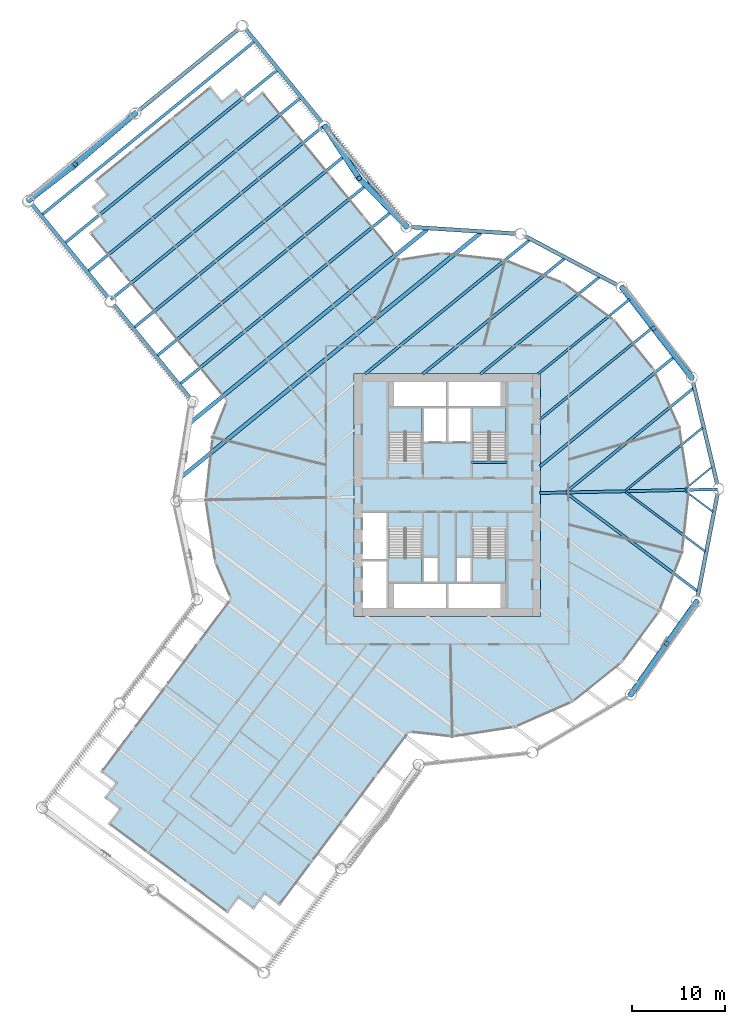
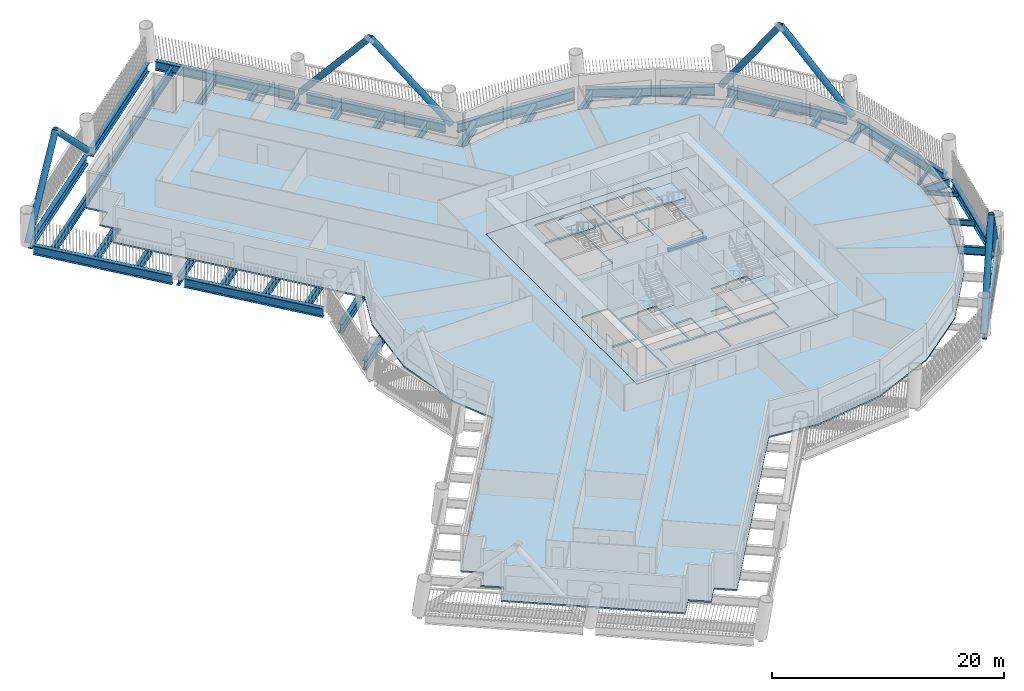
# One storey, part 2 of 22: 35 beams, 8 members, 6 slabs, 4 elements without a shape of their own.
"""IFC4 building model written with IfcOpenShell, lengths in metres."""

from ifc_helpers import new_model, si_unit, direction, frame, origin, origin_2d, place, context, subcontext, project, spatial, polyline, rectangle, hollow_circle, i_section, outline, extrude, material, layer, layer_set, material_profile, profile_set, type_object, element, aggregate, save


model = new_model("IFC4")

# Units and contexts
model_context = context("Model", 3, precision=1e-05, world=origin(), true_north=direction((0.0, 1.0)))
body_context = subcontext(model_context, "Body", "Model", "MODEL_VIEW")
ifc_project = project(units=[si_unit("LENGTHUNIT", "METRE"), si_unit("AREAUNIT", "SQUARE_METRE"), si_unit("VOLUMEUNIT", "CUBIC_METRE"), si_unit("PLANEANGLEUNIT", "RADIAN"), si_unit("MASSUNIT", "GRAM", prefix="KILO")], contexts=[model_context])

# Site, building, storey
site_placement = place(None, origin())
site = spatial("IfcSite", under=ifc_project, at=site_placement, CompositionType="ELEMENT")
building_placement = place(site_placement, origin())
building = spatial("IfcBuilding", under=site, at=building_placement, Name="Tarsis Ring Headquarters", CompositionType="ELEMENT")
storey_placement = place(building_placement, frame((0.0, 0.0, 40.0)))
storey = spatial("IfcBuildingStorey", under=building, at=storey_placement, Name="L07", CompositionType="ELEMENT", Elevation=40.0)

# Beams
ifc_material_1 = material(Name="Structural steel S355", Category="steel")
ifc_material_profile_1 = material_profile(ifc_material_1, i_section(OverallWidth=0.177734375, OverallDepth=0.406494140625, WebThickness=0.0078125, FlangeThickness=0.0126953125, at=origin_2d()), Name="W16x40")
ifc_profile_set_1 = profile_set([ifc_material_profile_1], Name="Structural steel S355")
beam_type_1 = type_object("IfcBeamType", Name="FB Floor beam W16x40", PredefinedType="JOIST", material=ifc_profile_set_1)
for number, where, z_axis, x_axis, name in (
    (1, (25.45458984375, 0.439697265625, -0.36328125), (0.80075105506, -0.59899728532, 0.0), (0.59899728532, 0.80075105506, 0.0), "Floor beam FB1"),
    (2, (28.35009765625, 2.991455078125, -0.36328125), (-0.774907071967, -0.632075177345, 0.0), (0.632075177345, -0.774907071967, 0.0), "Floor beam FB1"),
):
    element("IfcBeam", number, at=place(storey_placement, frame(where, z_axis=z_axis, x_axis=x_axis)), inside=storey, type_object=beam_type_1, Name=name, PredefinedType="JOIST", context=body_context, shape_type="SweptSolid", body=[
        extrude(i_section(OverallWidth=0.177734375, OverallDepth=0.406494140625, WebThickness=0.0078125, FlangeThickness=0.0126953125, at=origin_2d()), origin(), (0.0, 0.0, 1.0), 3.74169921875),
    ])
ifc_material_profile_2 = material_profile(ifc_material_1, i_section(OverallWidth=0.228271484375, OverallDepth=0.607177734375, WebThickness=0.01123046875, FlangeThickness=0.017333984375, at=origin_2d()), Name="W24x76")
ifc_profile_set_2 = profile_set([ifc_material_profile_2], Name="Structural steel S355")
beam_type_2 = type_object("IfcBeamType", Name="FB Floor beam W24x76", PredefinedType="JOIST", material=ifc_profile_set_2)
for number, where, z_axis, x_axis, name in (
    (3, (19.121337890625, 0.30712890625, -0.463623046875), (0.800730373044, -0.59902493244, 0.0), (0.59902493244, 0.800730373044, 0.0), "Floor beam FB4"),
    (4, (27.34814453125, 7.206787109375, -0.463623046875), (-0.774940569294, -0.632034108306, 0.0), (0.632034108306, -0.774940569294, 0.0), "Floor beam FB4"),
):
    element("IfcBeam", number, at=place(storey_placement, frame(where, z_axis=z_axis, x_axis=x_axis)), inside=storey, type_object=beam_type_2, Name=name, PredefinedType="JOIST", context=body_context, shape_type="SweptSolid", body=[
        extrude(i_section(OverallWidth=0.228271484375, OverallDepth=0.607177734375, WebThickness=0.01123046875, FlangeThickness=0.017333984375, at=origin_2d()), origin(), (0.0, 0.0, 1.0), 10.62109375),
    ])
ifc_material_profile_3 = material_profile(ifc_material_1, i_section(OverallWidth=0.2529296875, OverallDepth=0.67822265625, WebThickness=0.01171875, FlangeThickness=0.016357421875, at=origin_2d()), Name="W27x84")
ifc_profile_set_3 = profile_set([ifc_material_profile_3], Name="Structural steel S355")
beam_type_3 = type_object("IfcBeamType", Name="FB Floor beam W27x84", PredefinedType="JOIST", material=ifc_profile_set_3)
beam_1_placement = place(storey_placement, frame((19.5390625, 20.96826171875, -0.4990234375), z_axis=(-0.774946736408, -0.632026546698, 0.0), x_axis=(0.632026546698, -0.774946736408, 0.0)))
element("IfcBeam", 5, at=beam_1_placement, inside=storey, type_object=beam_type_3, Name="Floor beam FB5", PredefinedType="JOIST", context=body_context, shape_type="SweptSolid", body=[
    extrude(i_section(OverallWidth=0.2529296875, OverallDepth=0.67822265625, WebThickness=0.01171875, FlangeThickness=0.016357421875, at=origin_2d()), origin(), (0.0, 0.0, 1.0), 12.70751953125),
])
ifc_material_profile_4 = material_profile(ifc_material_1, i_section(OverallWidth=0.2666015625, OverallDepth=0.7568359375, WebThickness=0.013916015625, FlangeThickness=0.019287109375, at=origin_2d()), Name="W30x108")
ifc_profile_set_4 = profile_set([ifc_material_profile_4], Name="Structural steel S355")
beam_type_4 = type_object("IfcBeamType", Name="FB Floor beam W30x108", PredefinedType="JOIST", material=ifc_profile_set_4)
beam_2_placement = place(storey_placement, frame((21.925537109375, 17.882080078125, -0.538330078125), z_axis=(-0.774938157942, -0.632037064867, 0.0), x_axis=(0.632037064867, -0.774938157942, 0.0)))
element("IfcBeam", 6, at=beam_2_placement, inside=storey, type_object=beam_type_4, Name="Floor beam FB6", PredefinedType="JOIST", context=body_context, shape_type="SweptSolid", body=[
    extrude(i_section(OverallWidth=0.2666015625, OverallDepth=0.7568359375, WebThickness=0.013916015625, FlangeThickness=0.019287109375, at=origin_2d()), origin(), (0.0, 0.0, 1.0), 15.48876953125),
])
ifc_material_profile_5 = material_profile(ifc_material_1, i_section(OverallWidth=0.2919921875, OverallDepth=0.835693359375, WebThickness=0.013916015625, FlangeThickness=0.018798828125, at=origin_2d()), Name="W33x118")
ifc_profile_set_5 = profile_set([ifc_material_profile_5], Name="Structural steel S355")
beam_type_5 = type_object("IfcBeamType", Name="FB Floor beam W33x118", PredefinedType="JOIST", material=ifc_profile_set_5)
beam_3_placement = place(storey_placement, frame((12.7880859375, 0.174560546875, -0.577880859375), z_axis=(0.800725951133, -0.599030843264, 0.0), x_axis=(0.599030843264, 0.800725951133, 0.0)))
element("IfcBeam", 7, at=beam_3_placement, inside=storey, type_object=beam_type_5, Name="Floor beam FB7", PredefinedType="JOIST", context=body_context, shape_type="SweptSolid", body=[
    extrude(i_section(OverallWidth=0.2919921875, OverallDepth=0.835693359375, WebThickness=0.013916015625, FlangeThickness=0.018798828125, at=origin_2d()), origin(), (0.0, 0.0, 1.0), 17.50048828125),
])
beam_4_placement = place(storey_placement, frame((26.34619140625, 11.422119140625, -0.577880859375), z_axis=(-0.77494089803, -0.632033705241, 0.0), x_axis=(0.632033705241, -0.77494089803, 0.0)))
element("IfcBeam", 8, at=beam_4_placement, inside=storey, type_object=beam_type_5, Name="Floor beam FB7", PredefinedType="JOIST", context=body_context, shape_type="SweptSolid", body=[
    extrude(i_section(OverallWidth=0.2919921875, OverallDepth=0.835693359375, WebThickness=0.013916015625, FlangeThickness=0.018798828125, at=origin_2d()), origin(), (0.0, 0.0, 1.0), 17.500732421875),
])
beam_5_placement = place(storey_placement, frame((16.30126953125, 23.3603515625, -0.577880859375), z_axis=(-0.774937143878, -0.632038308204, 0.0), x_axis=(0.632038308204, -0.774937143878, 0.0)))
element("IfcBeam", 9, at=beam_5_placement, inside=storey, type_object=beam_type_5, Name="Floor beam FB7", PredefinedType="JOIST", context=body_context, shape_type="SweptSolid", body=[
    extrude(i_section(OverallWidth=0.2919921875, OverallDepth=0.835693359375, WebThickness=0.013916015625, FlangeThickness=0.018798828125, at=origin_2d()), origin(), (0.0, 0.0, 1.0), 16.491943359375),
])
ifc_material_profile_6 = material_profile(ifc_material_1, i_section(OverallWidth=0.3046875, OverallDepth=0.904296875, WebThickness=0.01513671875, FlangeThickness=0.02001953125, at=origin_2d()), Name="W36x135")
ifc_profile_set_6 = profile_set([ifc_material_profile_6], Name="Structural steel S355")
beam_type_6 = type_object("IfcBeamType", Name="FB Floor beam W36x135", PredefinedType="JOIST", material=ifc_profile_set_6)
beam_6_placement = place(storey_placement, frame((24.31201171875, 14.795654296875, -0.612060546875), z_axis=(-0.774947550491, -0.632025548525, 0.0), x_axis=(0.632025548525, -0.774947550491, 0.0)))
element("IfcBeam", 10, at=beam_6_placement, inside=storey, type_object=beam_type_6, Name="Floor beam FB8", PredefinedType="JOIST", context=body_context, shape_type="SweptSolid", body=[
    extrude(i_section(OverallWidth=0.3046875, OverallDepth=0.904296875, WebThickness=0.01513671875, FlangeThickness=0.02001953125, at=origin_2d()), origin(), (0.0, 0.0, 1.0), 18.568115234375),
])
beam_7_placement = place(storey_placement, frame((12.5625, 25.343505859375, -0.612060546875), z_axis=(-0.774944369166, -0.632029449233, 0.0), x_axis=(0.632029449233, -0.774944369166, 0.0)))
element("IfcBeam", 11, at=beam_7_placement, inside=storey, type_object=beam_type_6, Name="Floor beam FB8", PredefinedType="JOIST", context=body_context, shape_type="SweptSolid", body=[
    extrude(i_section(OverallWidth=0.3046875, OverallDepth=0.904296875, WebThickness=0.01513671875, FlangeThickness=0.02001953125, at=origin_2d()), origin(), (0.0, 0.0, 1.0), 19.6298828125),
])
ifc_material_profile_7 = material_profile(ifc_material_1, i_section(OverallWidth=0.3046875, OverallDepth=0.91943359375, WebThickness=0.017333984375, FlangeThickness=0.02783203125, at=origin_2d()), Name="W36x170")
ifc_profile_set_7 = profile_set([ifc_material_profile_7], Name="Structural steel S355")
beam_type_7 = type_object("IfcBeamType", Name="FB Floor beam W36x170", PredefinedType="JOIST", material=ifc_profile_set_7)
beam_8_placement = place(storey_placement, frame((8.82373046875, 27.326904296875, -0.61962890625), z_axis=(-0.774944350791, -0.632029471763, 0.0), x_axis=(0.632029471763, -0.774944350791, 0.0)))
element("IfcBeam", 12, at=beam_8_placement, inside=storey, type_object=beam_type_7, Name="Floor beam FB9", PredefinedType="JOIST", context=body_context, shape_type="SweptSolid", body=[
    extrude(i_section(OverallWidth=0.3046875, OverallDepth=0.91943359375, WebThickness=0.017333984375, FlangeThickness=0.02783203125, at=origin_2d()), origin(), (0.0, 0.0, 1.0), 22.76806640625),
])
ifc_material_profile_8 = material_profile(ifc_material_1, i_section(OverallWidth=0.309814453125, OverallDepth=0.949951171875, WebThickness=0.0244140625, FlangeThickness=0.0439453125, at=origin_2d()), Name="W36x256")
ifc_profile_set_8 = profile_set([ifc_material_profile_8], Name="Structural steel S355")
beam_type_8 = type_object("IfcBeamType", Name="FB Floor beam W36x256", PredefinedType="JOIST", material=ifc_profile_set_8)
for number, where, z_axis, x_axis, name in (
    (13, (-5.8720703125, 30.439208984375, -0.635009765625), (-0.774944288158, -0.632029548559, 0.0), (0.632029548559, -0.774944288158, 0.0), "Floor beam FB11"),
    (14, (-8.3369140625, 33.46142578125, -0.635009765625), (-0.774944288158, -0.632029548559, 0.0), (0.632029548559, -0.774944288158, 0.0), "Floor beam FB11"),
    (15, (-10.802001953125, 36.483642578125, -0.635009765625), (-0.774948358754, -0.632024557485, 0.0), (0.632024557485, -0.774948358754, 0.0), "Floor beam FB11"),
    (16, (-13.266845703125, 39.506103515625, -0.635009765625), (-0.774944288158, -0.632029548559, 0.0), (0.632029548559, -0.774944288158, 0.0), "Floor beam FB11"),
    (17, (-15.731689453125, 42.5283203125, -0.635009765625), (-0.774944288158, -0.632029548559, 0.0), (0.632029548559, -0.774944288158, 0.0), "Floor beam FB11"),
    (18, (-18.19677734375, 45.550537109375, -0.635009765625), (-0.774940968231, -0.632033619167, 0.0), (0.632033619167, -0.774940968231, 0.0), "Floor beam FB11"),
    (19, (-20.66162109375, 48.57275390625, -0.635009765625), (-0.774948358754, -0.632024557485, 0.0), (0.632024557485, -0.774948358754, 0.0), "Floor beam FB11"),
):
    element("IfcBeam", number, at=place(storey_placement, frame(where, z_axis=z_axis, x_axis=x_axis)), inside=storey, type_object=beam_type_8, Name=name, PredefinedType="JOIST", context=body_context, shape_type="SweptSolid", body=[
        extrude(i_section(OverallWidth=0.309814453125, OverallDepth=0.949951171875, WebThickness=0.0244140625, FlangeThickness=0.0439453125, at=origin_2d()), origin(), (0.0, 0.0, 1.0), 29.375732421875),
    ])
beam_type_9 = type_object("IfcBeamType", Name="FB Floor beam W36x256 spine", PredefinedType="BEAM", material=ifc_profile_set_8)
beam_9_placement = place(storey_placement, frame((28.92529296875, 0.60595703125, -0.635009765625), z_axis=(-0.999780511227, -0.020950641295, 0.0), x_axis=(0.020950641295, -0.999780511227, 0.0)))
element("IfcBeam", 20, at=beam_9_placement, inside=storey, type_object=beam_type_9, Name="Floor beam SB11", PredefinedType="BEAM", context=body_context, shape_type="SweptSolid", body=[
    extrude(i_section(OverallWidth=0.309814453125, OverallDepth=0.949951171875, WebThickness=0.0244140625, FlangeThickness=0.0439453125, at=origin_2d()), origin(), (0.0, 0.0, 1.0), 19.029541015625),
])
ifc_material_profile_9 = material_profile(ifc_material_1, i_section(OverallWidth=0.42431640625, OverallDepth=0.947509765625, WebThickness=0.02392578125, FlangeThickness=0.042724609375, at=origin_2d()), Name="W36x302")
ifc_profile_set_9 = profile_set([ifc_material_profile_9], Name="Structural steel S355")
beam_type_10 = type_object("IfcBeamType", Name="FB Floor beam W36x302", PredefinedType="JOIST", material=ifc_profile_set_9)
beam_10_placement = place(storey_placement, frame((3.5791015625, 28.08203125, -0.6337890625), z_axis=(-0.774946440336, -0.63202690972, 0.0), x_axis=(0.63202690972, -0.774946440336, 0.0)))
element("IfcBeam", 21, at=beam_10_placement, inside=storey, type_object=beam_type_10, Name="Floor beam FB12", PredefinedType="JOIST", context=body_context, shape_type="SweptSolid", body=[
    extrude(i_section(OverallWidth=0.42431640625, OverallDepth=0.947509765625, WebThickness=0.02392578125, FlangeThickness=0.042724609375, at=origin_2d()), origin(), (0.0, 0.0, 1.0), 41.35302734375),
])
beam_11_placement = place(storey_placement, frame((-2.149658203125, 28.442626953125, -0.6337890625), z_axis=(-0.774942185459, -0.632032126713, 0.0), x_axis=(0.632032126713, -0.774942185459, 0.0)))
element("IfcBeam", 22, at=beam_11_placement, inside=storey, type_object=beam_type_10, Name="Floor beam FB12", PredefinedType="JOIST", context=body_context, shape_type="SweptSolid", body=[
    extrude(i_section(OverallWidth=0.42431640625, OverallDepth=0.947509765625, WebThickness=0.02392578125, FlangeThickness=0.042724609375, at=origin_2d()), origin(), (0.0, 0.0, 1.0), 32.70458984375),
])
ifc_material_2 = material(Name="Concrete C40/50", Category="concrete")
ifc_material_profile_10 = material_profile(ifc_material_2, rectangle(XDim=0.300048828125, YDim=0.300048828125, at=origin_2d()), Name="Stair head beam 300x300 C40/50")
ifc_profile_set_10 = profile_set([ifc_material_profile_10], Name="Concrete C40/50")
beam_type_11 = type_object("IfcBeamType", Name="Stair head beam 300x300 C40/50", PredefinedType="BEAM", material=ifc_profile_set_10)
beam_12_placement = place(storey_placement, frame((2.60009765625, 3.510009765625, -0.31005859375), z_axis=(1.0, 0.0, 0.0), x_axis=(0.0, 1.0, 0.0)))
element("IfcBeam", 23, at=beam_12_placement, inside=storey, type_object=beam_type_11, Name="Stair head beam L07 Exit stair B", PredefinedType="BEAM", context=body_context, shape_type="SweptSolid", body=[
    extrude(rectangle(XDim=0.300048828125, YDim=0.300048828125, at=origin_2d()), origin(), (0.0, 0.0, 1.0), 3.7998046875),
])

# Members
ifc_material_profile_11 = material_profile(ifc_material_1, hollow_circle(Radius=0.3046875, WallThickness=0.02490234375, at=origin_2d()), Name="CHS 610x25")
ifc_profile_set_11 = profile_set([ifc_material_profile_11], Name="Structural steel S355")
member_type = type_object("IfcMemberType", Name="XD X brace CHS 610x25", PredefinedType="BRACE", material=ifc_profile_set_11)
member_1_placement = place(storey_placement, frame((19.630615234375, -21.41162109375, 0.0), z_axis=(0.376776724102, 0.532913302116, 0.757656064849), x_axis=(-0.816532611141, 0.577299311401, 0.0)))
element("IfcMember", 24, at=member_1_placement, inside=storey, type_object=member_type, Name="X brace XD1", PredefinedType="BRACE", context=body_context, shape_type="SweptSolid", body=[
    extrude(hollow_circle(Radius=0.3046875, WallThickness=0.02490234375, at=origin_2d()), origin(), (0.0, 0.0, 1.0), 10.294921875),
])
member_2_placement = place(storey_placement, frame((26.7109375, -11.41650390625, 0.0), z_axis=(-0.334829618546, -0.471565118227, 0.815791312662), x_axis=(0.815367978935, -0.578943053269, 0.0)))
element("IfcMember", 25, at=member_2_placement, inside=storey, type_object=member_type, Name="X brace XD1", PredefinedType="BRACE", context=body_context, shape_type="SweptSolid", body=[
    extrude(hollow_circle(Radius=0.3046875, WallThickness=0.02490234375, at=origin_2d()), origin(), (0.0, 0.0, 1.0), 9.561279296875),
])
member_3_placement = place(storey_placement, frame((26.20947265625, 12.525146484375, 0.0), z_axis=(-0.399709226917, 0.515934377978, 0.757657080438), x_axis=(-0.790518840813, -0.612437721176, 0.0)))
element("IfcMember", 26, at=member_3_placement, inside=storey, type_object=member_type, Name="X brace XD1", PredefinedType="BRACE", context=body_context, shape_type="SweptSolid", body=[
    extrude(hollow_circle(Radius=0.3046875, WallThickness=0.02490234375, at=origin_2d()), origin(), (0.0, 0.0, 1.0), 10.294921875),
])
member_4_placement = place(storey_placement, frame((18.716552734375, 22.21484375, 0.0), z_axis=(0.353289721344, -0.457902903503, 0.815788761725), x_axis=(0.791740159894, 0.610858018864, 0.0)))
element("IfcMember", 27, at=member_4_placement, inside=storey, type_object=member_type, Name="X brace XD1", PredefinedType="BRACE", context=body_context, shape_type="SweptSolid", body=[
    extrude(hollow_circle(Radius=0.3046875, WallThickness=0.02490234375, at=origin_2d()), origin(), (0.0, 0.0, 1.0), 9.561279296875),
])
member_5_placement = place(storey_placement, frame((-4.32861328125, 28.72412109375, 0.0), z_axis=(-0.478393989271, 0.486880370165, 0.730812353602), x_axis=(-0.713295869917, -0.7008630408, 0.0)))
element("IfcMember", 28, at=member_5_placement, inside=storey, type_object=member_type, Name="X brace XD1", PredefinedType="BRACE", context=body_context, shape_type="SweptSolid", body=[
    extrude(hollow_circle(Radius=0.3046875, WallThickness=0.02490234375, at=origin_2d()), origin(), (0.0, 0.0, 1.0), 10.673095703125),
])
member_6_placement = place(storey_placement, frame((-13.115234375, 39.49755859375, 0.0), z_axis=(0.35836098154, -0.542984870079, 0.759437184878), x_axis=(0.834615789545, 0.550832537022, 0.0)))
element("IfcMember", 29, at=member_6_placement, inside=storey, type_object=member_type, Name="X brace XD1", PredefinedType="BRACE", context=body_context, shape_type="SweptSolid", body=[
    extrude(hollow_circle(Radius=0.3046875, WallThickness=0.02490234375, at=origin_2d()), origin(), (0.0, 0.0, 1.0), 10.270751953125),
])
member_7_placement = place(storey_placement, frame((-33.37109375, 40.9169921875, 0.0), z_axis=(-0.561928127495, -0.476908018908, 0.675866496455), x_axis=(0.647072515902, -0.76242846167, 0.0)))
element("IfcMember", 30, at=member_7_placement, inside=storey, type_object=member_type, Name="X brace XD1", PredefinedType="BRACE", context=body_context, shape_type="SweptSolid", body=[
    extrude(hollow_circle(Radius=0.3046875, WallThickness=0.02490234375, at=origin_2d()), origin(), (0.0, 0.0, 1.0), 11.540771484375),
])
member_8_placement = place(storey_placement, frame((-44.84033203125, 31.56298828125, 0.0), z_axis=(0.49715791953, 0.384040185696, 0.778040576589), x_axis=(-0.611320617538, 0.791383031517, 0.0)))
element("IfcMember", 31, at=member_8_placement, inside=storey, type_object=member_type, Name="X brace XD1", PredefinedType="BRACE", context=body_context, shape_type="SweptSolid", body=[
    extrude(hollow_circle(Radius=0.3046875, WallThickness=0.02490234375, at=origin_2d()), origin(), (0.0, 0.0, 1.0), 10.025146484375),
])

# Beams
beam_type_12 = type_object("IfcBeamType", Name="XG Ring girder W36x302", PredefinedType="BEAM", material=ifc_profile_set_9)
beam_13_placement = place(storey_placement, frame((19.94775390625, -20.9638671875, -0.4736328125), z_axis=(0.578046497615, 0.816003827562, 0.0), x_axis=(-0.816003827562, 0.578046497615, 0.0)))
element("IfcBeam", 32, at=beam_13_placement, inside=storey, type_object=beam_type_12, Name="Ring girder XG1", PredefinedType="BEAM", context=body_context, shape_type="SweptSolid", body=[
    extrude(i_section(OverallWidth=0.42431640625, OverallDepth=0.947509765625, WebThickness=0.02392578125, FlangeThickness=0.042724609375, at=origin_2d()), origin(), (0.0, 0.0, 1.0), 11.1513671875),
])
for number, where, z_axis, x_axis, name in (
    (33, (26.8154296875, -10.8779296875, -0.4736328125), (0.19031528977, 0.981723021264, 0.0), (-0.981723021264, 0.19031528977, 0.0), "Ring girder XG1"),
    (34, (28.915283203125, 1.14208984375, -0.4736328125), (-0.231253501281, 0.972893528679, 0.0), (-0.972893528679, -0.231253501281, 0.0), "Ring girder XG1"),
    (35, (25.873779296875, 12.959228515625, -0.4736328125), (-0.611711655463, 0.791080811656, 0.0), (-0.791080811656, -0.611711655463, 0.0), "Ring girder XG1"),
    (36, (18.23193359375, 22.471923828125, -0.4736328125), (-0.883400997594, 0.468617837315, 0.0), (-0.468617837315, -0.883400997594, 0.0), "Ring girder XG1"),
    (37, (7.348388671875, 27.9892578125, -0.4736328125), (-0.998025481045, 0.062810342973, 0.0), (-0.062810342973, -0.998025481045, 0.0), "Ring girder XG1"),
):
    element("IfcBeam", number, at=place(storey_placement, frame(where, z_axis=z_axis, x_axis=x_axis)), inside=storey, type_object=beam_type_12, Name=name, PredefinedType="BEAM", context=body_context, shape_type="SweptSolid", body=[
        extrude(i_section(OverallWidth=0.42431640625, OverallDepth=0.947509765625, WebThickness=0.02392578125, FlangeThickness=0.042724609375, at=origin_2d()), origin(), (0.0, 0.0, 1.0), 11.151611328125),
    ])
for number, where, z_axis, x_axis, name in (
    (38, (-4.675537109375, 29.1494140625, -0.4736328125), (-0.63202640448, 0.774946852397, 0.0), (-0.774946852397, -0.63202640448, 0.0), "Ring girder XG1"),
    (39, (-13.462158203125, 39.9228515625, -0.4736328125), (-0.63202640448, 0.774946852397, 0.0), (-0.774946852397, -0.63202640448, 0.0), "Ring girder XG1"),
):
    element("IfcBeam", number, at=place(storey_placement, frame(where, z_axis=z_axis, x_axis=x_axis)), inside=storey, type_object=beam_type_12, Name=name, PredefinedType="BEAM", context=body_context, shape_type="SweptSolid", body=[
        extrude(i_section(OverallWidth=0.42431640625, OverallDepth=0.947509765625, WebThickness=0.02392578125, FlangeThickness=0.042724609375, at=origin_2d()), origin(), (0.0, 0.0, 1.0), 12.804931640625),
    ])
beam_14_placement = place(storey_placement, frame((-22.3271484375, 49.92431640625, -0.4736328125), z_axis=(-0.774950216754, -0.632022279317, 0.0), x_axis=(0.632022279317, -0.774950216754, 0.0)))
element("IfcBeam", 40, at=beam_14_placement, inside=storey, type_object=beam_type_12, Name="Ring girder XG1", PredefinedType="BEAM", context=body_context, shape_type="SweptSolid", body=[
    extrude(i_section(OverallWidth=0.42431640625, OverallDepth=0.947509765625, WebThickness=0.02392578125, FlangeThickness=0.042724609375, at=origin_2d()), origin(), (0.0, 0.0, 1.0), 13.70263671875),
])
beam_15_placement = place(storey_placement, frame((-33.79638671875, 40.5703125, -0.4736328125), z_axis=(-0.774943099569, -0.632031005909, 0.0), x_axis=(0.632031005909, -0.774943099569, 0.0)))
element("IfcBeam", 41, at=beam_15_placement, inside=storey, type_object=beam_type_12, Name="Ring girder XG1", PredefinedType="BEAM", context=body_context, shape_type="SweptSolid", body=[
    extrude(i_section(OverallWidth=0.42431640625, OverallDepth=0.947509765625, WebThickness=0.02392578125, FlangeThickness=0.042724609375, at=origin_2d()), origin(), (0.0, 0.0, 1.0), 13.702392578125),
])
beam_16_placement = place(storey_placement, frame((-44.49365234375, 31.137939453125, -0.4736328125), z_axis=(0.632037854356, -0.774937514036, 0.0), x_axis=(0.774937514036, 0.632037854356, 0.0)))
element("IfcBeam", 42, at=beam_16_placement, inside=storey, type_object=beam_type_12, Name="Ring girder XG1", PredefinedType="BEAM", context=body_context, shape_type="SweptSolid", body=[
    extrude(i_section(OverallWidth=0.42431640625, OverallDepth=0.947509765625, WebThickness=0.02392578125, FlangeThickness=0.042724609375, at=origin_2d()), origin(), (0.0, 0.0, 1.0), 12.804931640625),
])
beam_17_placement = place(storey_placement, frame((-35.70703125, 20.364501953125, -0.4736328125), z_axis=(0.632028516116, -0.774945130197, 0.0), x_axis=(0.774945130197, 0.632028516116, 0.0)))
element("IfcBeam", 43, at=beam_17_placement, inside=storey, type_object=beam_type_12, Name="Ring girder XG1", PredefinedType="BEAM", context=body_context, shape_type="SweptSolid", body=[
    extrude(i_section(OverallWidth=0.42431640625, OverallDepth=0.947509765625, WebThickness=0.02392578125, FlangeThickness=0.042724609375, at=origin_2d()), origin(), (0.0, 0.0, 1.0), 12.80517578125),
])

# Slab
ifc_layer_1 = layer(ifc_material_2, 0.159912109375)
ifc_layer_set_1 = layer_set([ifc_layer_1], Name="Core floor slab 160 C40/50")
slab_type_1 = type_object("IfcSlabType", Name="Core floor slab 160 C40/50", PredefinedType="FLOOR", material=ifc_layer_set_1)
slab_1_placement = place(storey_placement, frame((0.0, 0.0, -0.159912109375)))
element("IfcSlab", 44, at=slab_1_placement, inside=storey, type_object=slab_type_1, Name="L07 core floor slab", PredefinedType="FLOOR", context=body_context, shape_type="SweptSolid", body=[
    extrude(outline(polyline([(-10.0, -13.0), (10.0, -13.0), (10.0, 13.0), (-10.0, 13.0), (-10.0, -13.0)]), holes=[polyline([(-2.5, 5.699951171875), (-0.10009765625, 5.699951171875), (-0.10009765625, 9.300048828125), (-2.5, 9.300048828125), (-2.5, 5.699951171875)]), polyline([(0.10009765625, 5.699951171875), (2.5, 5.699951171875), (2.5, 9.300048828125), (0.10009765625, 9.300048828125), (0.10009765625, 5.699951171875)]), polyline([(-9.10009765625, -12.10009765625), (-6.5, -12.10009765625), (-6.5, -7.10009765625), (-9.10009765625, -7.10009765625), (-9.10009765625, -12.10009765625)]), polyline([(-9.10009765625, -6.89990234375), (-6.5, -6.89990234375), (-6.5, -1.89990234375), (-9.10009765625, -1.89990234375), (-9.10009765625, -6.89990234375)]), polyline([(-5.699951171875, 9.5), (-0.10009765625, 9.5), (-0.10009765625, 12.10009765625), (-5.699951171875, 12.10009765625), (-5.699951171875, 9.5)]), polyline([(0.10009765625, 9.5), (5.699951171875, 9.5), (5.699951171875, 12.10009765625), (0.10009765625, 12.10009765625), (0.10009765625, 9.5)]), polyline([(-5.699951171875, -12.10009765625), (-0.10009765625, -12.10009765625), (-0.10009765625, -9.5), (-5.699951171875, -9.5), (-5.699951171875, -12.10009765625)]), polyline([(0.10009765625, -12.10009765625), (5.699951171875, -12.10009765625), (5.699951171875, -9.5), (0.10009765625, -9.5), (0.10009765625, -12.10009765625)]), polyline([(-2.5, -9.300048828125), (-1.0, -9.300048828125), (-1.0, -6.699951171875), (-2.5, -6.699951171875), (-2.5, -9.300048828125)]), polyline([(1.0, -9.300048828125), (2.5, -9.300048828125), (2.5, -6.699951171875), (1.0, -6.699951171875), (1.0, -9.300048828125)]), polyline([(-2.699951171875, 3.760009765625), (-2.699951171875, 9.300048828125), (-6.300048828125, 9.300048828125), (-6.300048828125, 3.659912109375), (-4.4599609375, 3.659912109375), (-4.4599609375, 3.760009765625), (-2.699951171875, 3.760009765625)]), polyline([(6.300048828125, 3.760009765625), (6.300048828125, 9.300048828125), (2.699951171875, 9.300048828125), (2.699951171875, 3.659912109375), (4.5400390625, 3.659912109375), (4.5400390625, 3.760009765625), (6.300048828125, 3.760009765625)]), polyline([(-6.300048828125, -3.760009765625), (-6.300048828125, -9.300048828125), (-2.699951171875, -9.300048828125), (-2.699951171875, -3.659912109375), (-4.5400390625, -3.659912109375), (-4.5400390625, -3.760009765625), (-6.300048828125, -3.760009765625)]), polyline([(2.699951171875, -3.760009765625), (2.699951171875, -9.300048828125), (6.300048828125, -9.300048828125), (6.300048828125, -3.659912109375), (4.4599609375, -3.659912109375), (4.4599609375, -3.760009765625), (2.699951171875, -3.760009765625)])]), origin(), (0.0, 0.0, 1.0), 0.159912109375),
])

# Stair, slab
ifc_material_3 = material(Name="Core stair 1760")
stair_type = type_object("IfcStairType", Name="Core stair 1760", PredefinedType="HALF_TURN_STAIR", material=ifc_material_3)
stair_1_placement = place(storey_placement, origin())
stair_1 = element("IfcStair", 45, at=stair_1_placement, inside=storey, type_object=stair_type, Name="L07 Firefighting stair", PredefinedType="HALF_TURN_STAIR")
ifc_layer_2 = layer(ifc_material_2, 0.199951171875)
ifc_layer_set_2 = layer_set([ifc_layer_2], Name="Core stair landing 200")
slab_type_2 = type_object("IfcSlabType", Name="Core stair landing 200", PredefinedType="LANDING", material=ifc_layer_set_2)
slab_2_placement = place(storey_placement, frame((0.0, 0.0, 1.75)))
slab_2 = element("IfcSlab", 46, at=slab_2_placement, type_object=slab_type_2, Name="Stair ST1 landing 1", PredefinedType="LANDING", context=body_context, shape_type="SweptSolid", body=[
    extrude(outline(polyline([(-2.699951171875, 6.739990234375), (-2.699951171875, 9.300048828125), (-6.300048828125, 9.300048828125), (-6.300048828125, 6.739990234375), (-2.699951171875, 6.739990234375)])), origin(), (0.0, 0.0, 1.0), 0.199951171875),
])
aggregate(stair_1, [slab_2])

stair_2_placement = place(storey_placement, origin())
stair_2 = element("IfcStair", 47, at=stair_2_placement, inside=storey, type_object=stair_type, Name="L07 Exit stair B", PredefinedType="HALF_TURN_STAIR")
slab_3_placement = place(storey_placement, frame((0.0, 0.0, 1.75)))
slab_3 = element("IfcSlab", 48, at=slab_3_placement, type_object=slab_type_2, Name="Stair ST2 landing 1", PredefinedType="LANDING", context=body_context, shape_type="SweptSolid", body=[
    extrude(outline(polyline([(6.300048828125, 6.739990234375), (6.300048828125, 9.300048828125), (2.699951171875, 9.300048828125), (2.699951171875, 6.739990234375), (6.300048828125, 6.739990234375)])), origin(), (0.0, 0.0, 1.0), 0.199951171875),
])
aggregate(stair_2, [slab_3])

stair_3_placement = place(storey_placement, origin())
stair_3 = element("IfcStair", 49, at=stair_3_placement, inside=storey, type_object=stair_type, Name="L07 Exit stair C", PredefinedType="HALF_TURN_STAIR")
slab_4_placement = place(storey_placement, frame((0.0, 0.0, 1.75)))
slab_4 = element("IfcSlab", 50, at=slab_4_placement, type_object=slab_type_2, Name="Stair ST3 landing 1", PredefinedType="LANDING", context=body_context, shape_type="SweptSolid", body=[
    extrude(outline(polyline([(-6.300048828125, -6.739990234375), (-6.300048828125, -9.300048828125), (-2.699951171875, -9.300048828125), (-2.699951171875, -6.739990234375), (-6.300048828125, -6.739990234375)])), origin(), (0.0, 0.0, 1.0), 0.199951171875),
])
aggregate(stair_3, [slab_4])

stair_4_placement = place(storey_placement, origin())
stair_4 = element("IfcStair", 51, at=stair_4_placement, inside=storey, type_object=stair_type, Name="L07 Exit stair D", PredefinedType="HALF_TURN_STAIR")
slab_5_placement = place(storey_placement, frame((0.0, 0.0, 1.75)))
slab_5 = element("IfcSlab", 52, at=slab_5_placement, type_object=slab_type_2, Name="Stair ST4 landing 1", PredefinedType="LANDING", context=body_context, shape_type="SweptSolid", body=[
    extrude(outline(polyline([(2.699951171875, -6.739990234375), (2.699951171875, -9.300048828125), (6.300048828125, -9.300048828125), (6.300048828125, -6.739990234375), (2.699951171875, -6.739990234375)])), origin(), (0.0, 0.0, 1.0), 0.199951171875),
])
aggregate(stair_4, [slab_5])

# Slab
ifc_material_4 = material(Name="Concrete C35/45", Category="concrete")
ifc_layer_3 = layer(ifc_material_4, 0.159912109375)
ifc_layer_set_3 = layer_set([ifc_layer_3], Name="FS Composite floor slab 160")
slab_type_3 = type_object("IfcSlabType", Name="FS Composite floor slab 160", PredefinedType="FLOOR", material=ifc_layer_set_3)
slab_6_placement = place(storey_placement, frame((0.0, 0.0, -0.159912109375)))
element("IfcSlab", 53, at=slab_6_placement, inside=storey, type_object=slab_type_3, Name="Floor slab L07", PredefinedType="FLOOR", context=body_context, shape_type="SweptSolid", body=[
    extrude(outline(polyline([(-23.727294921875, 10.106201171875), (-25.24951171875, 6.201904296875), (-25.994384765625, -0.54443359375), (-24.967529296875, -7.253662109375), (-23.283203125, -11.0908203125), (-37.163818359375, -29.645263671875), (-35.5625, -30.843505859375), (-36.760498046875, -32.44482421875), (-35.158935546875, -33.642822265625), (-36.35693359375, -35.244384765625), (-23.54541015625, -44.828857421875), (-22.34716796875, -43.227294921875), (-20.745849609375, -44.42529296875), (-19.5478515625, -42.823974609375), (-17.9462890625, -44.02197265625), (-4.078125, -25.48388671875), (0.54443359375, -25.994384765625), (7.253662109375, -24.967529296875), (13.46875, -22.239501953125), (18.765869140625, -17.99560546875), (22.783935546875, -12.525634765625), (25.24951171875, -6.201904296875), (25.994384765625, 0.54443359375), (24.967529296875, 7.253662109375), (22.239501953125, 13.46875), (17.99560546875, 18.765869140625), (12.525634765625, 22.783935546875), (6.201904296875, 25.24951171875), (-0.54443359375, 25.994384765625), (-5.1416015625, 25.290771484375), (-19.77392578125, 43.231689453125), (-21.323974609375, 41.9677734375), (-22.587890625, 43.517578125), (-24.137939453125, 42.253662109375), (-25.40185546875, 43.803466796875), (-37.801025390625, 33.69091796875), (-36.536865234375, 32.14111328125), (-38.0869140625, 30.876953125), (-36.82275390625, 29.3271484375), (-38.372802734375, 28.06298828125), (-23.727294921875, 10.106201171875)]), holes=[polyline([(-10.0, -13.0), (-10.0, 13.0), (10.0, 13.0), (10.0, -13.0), (-10.0, -13.0)])]), origin(), (0.0, 0.0, 1.0), 0.159912109375),
])

save(model, "model.ifc")
